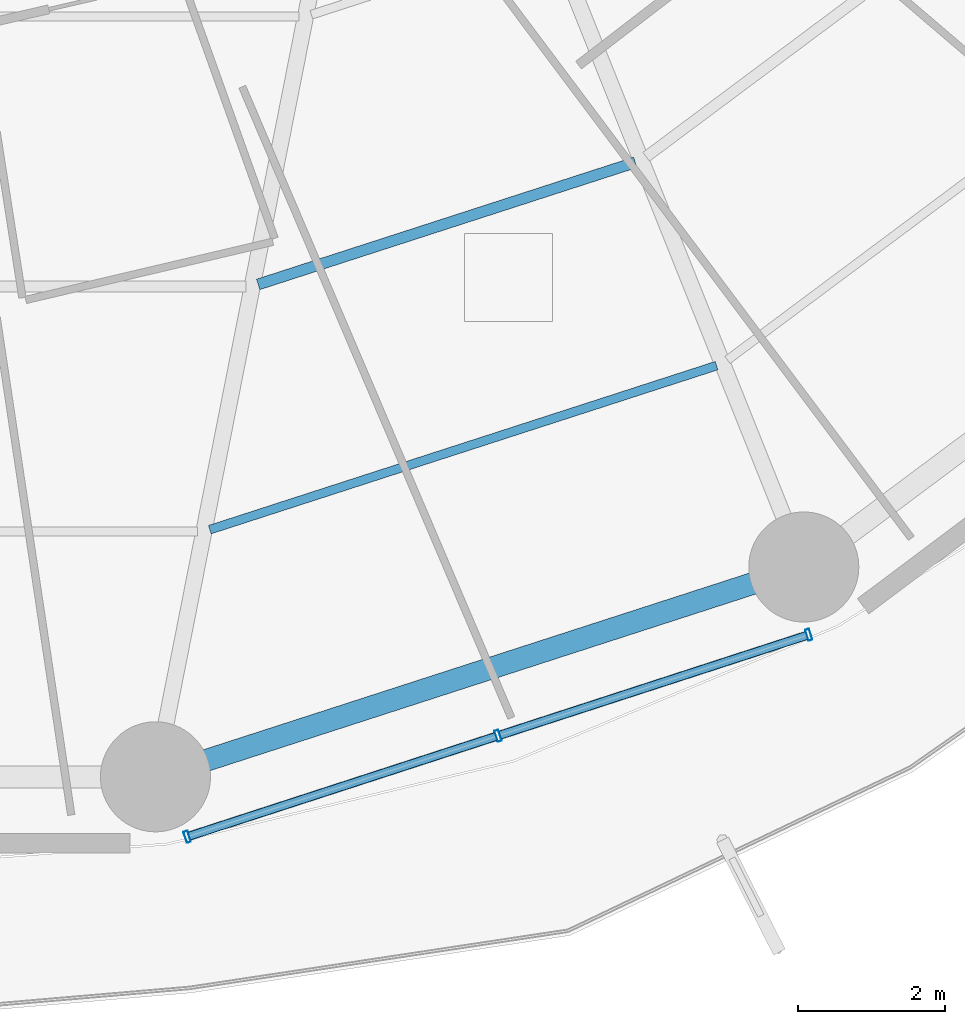
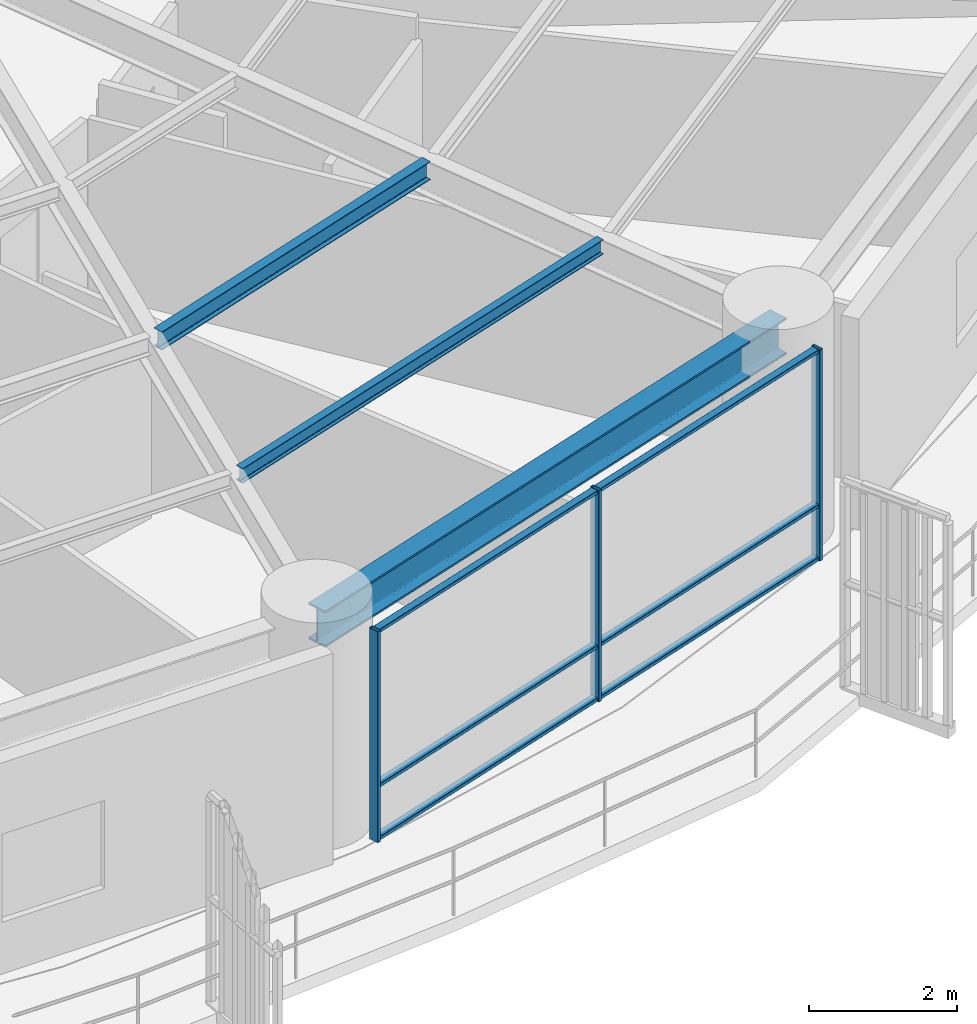
# One storey, part 8 of 32: 9 members, 3 beams, 1 element without a shape of its own.
"""IFC4 building model written with IfcOpenShell, lengths in metres."""

import ifcopenshell
import ifcopenshell.guid

model = None  # the IFC model being written
_history = None  # IfcOwnerHistory: only IFC2X3 demands one
_inside = {}  # id of a spatial element -> (the spatial element, [elements in it])
_under = {}  # id of a project, library or spatial element -> (it, [spatial elements below it])
_declared = {}  # id of a project -> (the project, [libraries it declares])
_typed = {}  # id of a type object -> (the type object, [elements of that type])
_made_of = {}  # id of a material, layer set ... -> (it, [elements and type objects made of it])


def new_model(schema):
    """Start an empty IFC model of exactly this schema.

    Asked for "IFC4X3", IfcOpenShell would pick the latest addendum, in which some entities
    have other attributes; the version numbers below select the first issue.
    IFC2X3 requires an IfcOwnerHistory on every rooted entity: one is made here for all.
    """
    global model, _history
    if schema == "IFC4X3":
        model = ifcopenshell.file(schema_version=(4, 3, 0, 0))
    else:
        model = ifcopenshell.file(schema=schema)
    _inside.clear()
    _under.clear()
    _declared.clear()
    _typed.clear()
    _made_of.clear()
    _history = None
    if model.schema == "IFC2X3":
        org = make("IfcOrganization", Name="unknown")
        user = make(
            "IfcPersonAndOrganization",
            ThePerson=make("IfcPerson", FamilyName="unknown"),
            TheOrganization=org,
        )
        app = make(
            "IfcApplication",
            ApplicationDeveloper=org,
            Version="unknown",
            ApplicationFullName="unknown",
            ApplicationIdentifier="unknown",
        )
        _history = make(
            "IfcOwnerHistory",
            OwningUser=user,
            OwningApplication=app,
            ChangeAction="ADDED",
            CreationDate=0,
        )
    return model


def make(cls, **values):
    """One entity of the class cls with the attributes given. An attribute that is None is left unset."""
    return model.create_entity(
        cls, **{name: value for name, value in values.items() if value is not None}
    )


def rooted(cls, **values):
    """An entity with a GlobalId (a new one), such as an element, a storey or a relation."""
    return make(cls, GlobalId=ifcopenshell.guid.new(), OwnerHistory=_history, **values)


def si_unit(unit_type, name, prefix=None):
    """IfcSIUnit, for example si_unit("LENGTHUNIT", "METRE", prefix="MILLI")."""
    return make("IfcSIUnit", UnitType=unit_type, Prefix=prefix, Name=name)


def assignment(units):
    """IfcUnitAssignment: the units of a project."""
    return None if units is None else make("IfcUnitAssignment", Units=units)


def point(xyz):
    """IfcCartesianPoint."""
    return None if xyz is None else make("IfcCartesianPoint", Coordinates=xyz)


def direction(xyz):
    """IfcDirection."""
    return None if xyz is None else make("IfcDirection", DirectionRatios=xyz)


def frame(location, z_axis=None, x_axis=None):
    """IfcAxis2Placement3D, a coordinate frame: its origin and axes. An axis left out is left unset."""
    return make(
        "IfcAxis2Placement3D",
        Location=point(location),
        Axis=direction(z_axis),
        RefDirection=direction(x_axis),
    )


def frame_2d(location, x_axis=None):
    """IfcAxis2Placement2D, a coordinate frame in the plane: its origin and x axis."""
    return make(
        "IfcAxis2Placement2D", Location=point(location), RefDirection=direction(x_axis)
    )


def origin():
    """The frame at (0, 0, 0) with its axes left unset."""
    return frame((0.0, 0.0, 0.0))


def origin_2d():
    """The frame at (0, 0) in the plane with its x axis left unset."""
    return frame_2d((0.0, 0.0))


def place(relative_to, where):
    """IfcLocalPlacement: puts the frame where relative to a parent placement (None: the world)."""
    return make(
        "IfcLocalPlacement", PlacementRelTo=relative_to, RelativePlacement=where
    )


def context(
    kind, dimensions, precision=None, world=None, true_north=None, identifier=None
):
    """IfcGeometricRepresentationContext, for example the 3D "Model" context."""
    return make(
        "IfcGeometricRepresentationContext",
        ContextIdentifier=identifier,
        ContextType=kind,
        CoordinateSpaceDimension=dimensions,
        Precision=precision,
        WorldCoordinateSystem=world,
        TrueNorth=true_north,
    )


def subcontext(parent, identifier, kind, view, scale=None):
    """IfcGeometricRepresentationSubContext, for example "Body" below "Model"."""
    return make(
        "IfcGeometricRepresentationSubContext",
        ContextIdentifier=identifier,
        ContextType=kind,
        ParentContext=parent,
        TargetScale=scale,
        TargetView=view,
    )


def project(units=None, contexts=None):
    """IfcProject with its units and contexts."""
    return rooted(
        "IfcProject",
        Name="project",
        RepresentationContexts=contexts,
        UnitsInContext=assignment(units),
    )


def spatial(cls, under=None, at=None, **own):
    """A site, building, storey or space (cls), placed at a placement, below another one or the project."""
    s = rooted(cls, ObjectPlacement=at, **own)
    if under is not None:
        _under.setdefault(under.id(), (under, []))[1].append(s)
    return s


def profile(cls, at=None, kind="AREA", **sizes):
    """A parametric profile (cls). Its sizes go by their IFC names, for example OverallWidth=200.0."""
    return make(cls, ProfileType=kind, Position=at, **sizes)


def hollow_rectangle(**sizes):
    """IfcRectangleHollowProfileDef."""
    return profile("IfcRectangleHollowProfileDef", **sizes)


def i_section(**sizes):
    """IfcIShapeProfileDef."""
    return profile("IfcIShapeProfileDef", **sizes)


def extrude(swept, where, along, depth):
    """IfcExtrudedAreaSolid: the profile swept, set in the frame where, extruded along a direction by depth."""
    return make(
        "IfcExtrudedAreaSolid",
        SweptArea=swept,
        Position=where,
        ExtrudedDirection=direction(along),
        Depth=depth,
    )


def shape(context_of_items, identifier, shape_type, items):
    """IfcShapeRepresentation: the items that make up one representation, for example the "Body"."""
    return make(
        "IfcShapeRepresentation",
        ContextOfItems=context_of_items,
        RepresentationIdentifier=identifier,
        RepresentationType=shape_type,
        Items=items,
    )


def material(Name=None, Category=None):
    """IfcMaterial."""
    return make("IfcMaterial", Name=Name, Category=Category)


def layer(
    of_material, thickness, ventilated=None, Name=None, Category=None, Priority=None
):
    """IfcMaterialLayer: one layer of a wall or slab, of a material (None: an air gap)."""
    return make(
        "IfcMaterialLayer",
        Material=of_material,
        LayerThickness=thickness,
        IsVentilated=ventilated,
        Name=Name,
        Category=Category,
        Priority=Priority,
    )


def layer_set(layers, Name=None):
    """IfcMaterialLayerSet."""
    return make("IfcMaterialLayerSet", MaterialLayers=layers, LayerSetName=Name)


def material_profile(
    of_material, cross_section, Name=None, Category=None, Priority=None
):
    """IfcMaterialProfile: a cross section and its material."""
    return make(
        "IfcMaterialProfile",
        Name=Name,
        Material=of_material,
        Profile=cross_section,
        Priority=Priority,
        Category=Category,
    )


def profile_set(profiles, Name=None, composite=None):
    """IfcMaterialProfileSet."""
    return make(
        "IfcMaterialProfileSet",
        Name=Name,
        MaterialProfiles=profiles,
        CompositeProfile=composite,
    )


def made_of(thing, what):
    """Note that an element or type object is made of a material, layer set ...; save() writes the relation."""
    if what is not None:
        _made_of.setdefault(what.id(), (what, []))[1].append(thing)
    return thing


def type_object(cls, material=None, **own):
    """A type object (cls), such as IfcWallType, which elements share."""
    return made_of(rooted(cls, **own), material)


def element(
    cls,
    number,
    at=None,
    inside=None,
    cuts=None,
    type_object=None,
    material=None,
    context=None,
    identifier="Body",
    shape_type=None,
    held_by="IfcProductDefinitionShape",
    body=None,
    shapes=None,
    **own,
):
    """One element of the class cls, such as IfcWall. Its Tag is "e" and its number.

    at: its placement. inside: the storey or other place that contains it. cuts: it is an
    opening in that element (IfcRelVoidsElement). A single representation is given by context,
    identifier, shape_type and body (its items); several are given by shapes. held_by: the class
    of the entity that holds the representations. save() writes the other relations.
    """
    e = rooted(cls, Tag="e%d" % number, ObjectPlacement=at, **own)
    if body is not None:
        shapes = [shape(context, identifier, shape_type, body)]
    if shapes is not None:
        e.Representation = make(held_by, Representations=shapes)
    if inside is not None:
        _inside.setdefault(inside.id(), (inside, []))[1].append(e)
    if cuts is not None:
        rooted(
            "IfcRelVoidsElement", RelatingBuildingElement=cuts, RelatedOpeningElement=e
        )
    if type_object is not None:
        _typed.setdefault(type_object.id(), (type_object, []))[1].append(e)
    return made_of(e, material)


def aggregate(whole, parts):
    """IfcRelAggregates: a whole, such as a stair, and the parts it consists of."""
    return rooted("IfcRelAggregates", RelatingObject=whole, RelatedObjects=parts)


def save(model, path):
    """Write the relations noted so far, then the file.

    IfcRelAggregates (storeys below a building ...), IfcRelContainedInSpatialStructure (elements
    in a storey), IfcRelDefinesByType, IfcRelAssociatesMaterial and IfcRelDeclares: one each for
    every whole, place, type object, material and project.
    """
    for whole, parts in _under.values():
        aggregate(whole, parts)
    for where, things in _inside.values():
        rooted(
            "IfcRelContainedInSpatialStructure",
            RelatedElements=things,
            RelatingStructure=where,
        )
    for kind, things in _typed.values():
        rooted("IfcRelDefinesByType", RelatedObjects=things, RelatingType=kind)
    for what, things in _made_of.values():
        rooted("IfcRelAssociatesMaterial", RelatedObjects=things, RelatingMaterial=what)
    for by, libraries in _declared.values():
        rooted("IfcRelDeclares", RelatingContext=by, RelatedDefinitions=libraries)
    model.write(path)


model = new_model("IFC4")

# Units and contexts
model_context = context("Model", 3, precision=1e-05, world=origin(), true_north=direction((0.0, 1.0)))
body_context = subcontext(model_context, "Body", "Model", "MODEL_VIEW")
ifc_project = project(units=[si_unit("LENGTHUNIT", "METRE"), si_unit("AREAUNIT", "SQUARE_METRE"), si_unit("VOLUMEUNIT", "CUBIC_METRE"), si_unit("PLANEANGLEUNIT", "RADIAN"), si_unit("MASSUNIT", "GRAM", prefix="KILO")], contexts=[model_context])

# Site, building, storey
site_placement = place(None, origin())
site = spatial("IfcSite", under=ifc_project, at=site_placement, CompositionType="ELEMENT")
building_placement = place(site_placement, origin())
building = spatial("IfcBuilding", under=site, at=building_placement, Name="Kelanora Arch Commons", CompositionType="ELEMENT")
storey_placement = place(building_placement, frame((0.0, 0.0, 60.0)))
storey = spatial("IfcBuildingStorey", under=building, at=storey_placement, Name="L15", CompositionType="ELEMENT", Elevation=60.0)

# Beams
ifc_material_1 = material(Name="Steel S355", Category="steel")
ifc_material_profile_1 = material_profile(ifc_material_1, i_section(OverallWidth=0.14990234375, OverallDepth=0.300048828125, WebThickness=0.007080078125, FlangeThickness=0.0107421875, FilletRadius=0.014892578125, at=origin_2d()), Name="IPE300")
ifc_profile_set_1 = profile_set([ifc_material_profile_1], Name="Steel S355")
beam_type_1 = type_object("IfcBeamType", Name="BM-JST-01", PredefinedType="JOIST", material=ifc_profile_set_1)
beam_1_placement = place(storey_placement, frame((80.102294921875, 40.997802734375, 3.340087890625), z_axis=(0.951412209627, 0.307920131482, 0.0), x_axis=(-0.307920131482, 0.951412209627, 0.0)))
element("IfcBeam", 1, at=beam_1_placement, inside=storey, type_object=beam_type_1, Name="Secondary Chord Joist BJB-28 L15", PredefinedType="JOIST", context=body_context, shape_type="SweptSolid", body=[
    extrude(i_section(OverallWidth=0.14990234375, OverallDepth=0.300048828125, WebThickness=0.007080078125, FlangeThickness=0.0107421875, FilletRadius=0.014892578125, at=origin_2d()), origin(), (0.0, 0.0, 1.0), 5.4033203125),
])
ifc_material_profile_2 = material_profile(ifc_material_1, i_section(OverallWidth=0.1201171875, OverallDepth=0.239990234375, WebThickness=0.006103515625, FlangeThickness=0.009765625, FilletRadius=0.014892578125, at=origin_2d()), Name="IPE240")
ifc_profile_set_2 = profile_set([ifc_material_profile_2], Name="Steel S355")
beam_type_2 = type_object("IfcBeamType", Name="BM-JST-02", PredefinedType="JOIST", material=ifc_profile_set_2)
beam_2_placement = place(storey_placement, frame((79.44287109375, 37.65478515625, 3.3701171875), z_axis=(0.951410915705, 0.307924129418, 0.0), x_axis=(-0.307924129418, 0.951410915705, 0.0)))
element("IfcBeam", 2, at=beam_2_placement, inside=storey, type_object=beam_type_2, Name="Secondary Chord Joist BJC-28 L15", PredefinedType="JOIST", context=body_context, shape_type="SweptSolid", body=[
    extrude(i_section(OverallWidth=0.1201171875, OverallDepth=0.239990234375, WebThickness=0.006103515625, FlangeThickness=0.009765625, FilletRadius=0.014892578125, at=origin_2d()), origin(), (0.0, 0.0, 1.0), 7.260986328125),
])
ifc_material_profile_3 = material_profile(ifc_material_1, i_section(OverallWidth=0.300048828125, OverallDepth=0.60009765625, WebThickness=0.015380859375, FlangeThickness=0.030029296875, FilletRadius=0.027099609375, at=origin_2d()), Name="HEB600")
ifc_profile_set_3 = profile_set([ifc_material_profile_3], Name="Steel S355")
beam_type_3 = type_object("IfcBeamType", Name="BM-SPN-Z1", PredefinedType="SPANDREL", material=ifc_profile_set_3)
beam_3_placement = place(storey_placement, frame((78.702392578125, 34.285888671875, 3.18994140625), z_axis=(0.951417120402, 0.307904957748, 0.0), x_axis=(-0.307904957748, 0.951417120402, 0.0)))
element("IfcBeam", 3, at=beam_3_placement, inside=storey, type_object=beam_type_3, Name="Perimeter Spandrel Beam BS-28 L15", PredefinedType="SPANDREL", context=body_context, shape_type="SweptSolid", body=[
    extrude(i_section(OverallWidth=0.300048828125, OverallDepth=0.60009765625, WebThickness=0.015380859375, FlangeThickness=0.030029296875, FilletRadius=0.027099609375, at=origin_2d()), origin(), (0.0, 0.0, 1.0), 9.288818359375),
])

# Curtain wall, members
ifc_material_2 = material(Name="Terracotta ceramic-fritted low-E glass and aluminium", Category="masonry")
ifc_layer = layer(ifc_material_2, 0.159912109375)
ifc_layer_set = layer_set([ifc_layer], Name="Terracotta ceramic-fritted low-E glass and aluminium")
curtain_wall_type = type_object("IfcCurtainWallType", Name="CW-SYS-01", PredefinedType="NOTDEFINED", material=ifc_layer_set)
curtain_wall_placement = place(storey_placement, origin())
curtain_wall = element("IfcCurtainWall", 4, at=curtain_wall_placement, inside=storey, type_object=curtain_wall_type, Name="Unitised Curtain Wall L15-B14", PredefinedType="NOTDEFINED")
ifc_material_3 = material(Name="Powder-coated aluminium terracotta", Category="masonry")
ifc_material_profile_4 = material_profile(ifc_material_3, hollow_rectangle(XDim=0.159912109375, YDim=0.06005859375, WallThickness=0.0048828125, InnerFilletRadius=0.0048828125, OuterFilletRadius=0.010009765625, at=origin_2d()), Name="CWM160x60")
ifc_profile_set_4 = profile_set([ifc_material_profile_4], Name="Powder-coated aluminium terracotta")
member_type_1 = type_object("IfcMemberType", Name="CWM-STD", PredefinedType="MULLION", material=ifc_profile_set_4)
member_1_placement = place(storey_placement, frame((79.134521484375, 33.46826171875, 0.0), z_axis=(0.0, 0.0, 1.0), x_axis=(-0.30905758454, 0.951043326793, 0.0)))
member_1 = element("IfcMember", 5, at=member_1_placement, type_object=member_type_1, Name="CW-01 mullion 1", PredefinedType="MULLION", context=body_context, shape_type="SweptSolid", body=[
    extrude(hollow_rectangle(XDim=0.159912109375, YDim=0.06005859375, WallThickness=0.0048828125, InnerFilletRadius=0.0048828125, OuterFilletRadius=0.010009765625, at=origin_2d()), origin(), (0.0, 0.0, 1.0), 3.47509765625),
])
member_2_placement = place(storey_placement, frame((83.37109375, 34.84521484375, 0.0), z_axis=(0.0, 0.0, 1.0), x_axis=(-0.30905758454, 0.951043326793, 0.0)))
member_2 = element("IfcMember", 6, at=member_2_placement, type_object=member_type_1, Name="CW-01 mullion 2", PredefinedType="MULLION", context=body_context, shape_type="SweptSolid", body=[
    extrude(hollow_rectangle(XDim=0.159912109375, YDim=0.06005859375, WallThickness=0.0048828125, InnerFilletRadius=0.0048828125, OuterFilletRadius=0.010009765625, at=origin_2d()), origin(), (0.0, 0.0, 1.0), 3.47509765625),
])
member_3_placement = place(storey_placement, frame((87.607666015625, 36.221923828125, 0.0), z_axis=(0.0, 0.0, 1.0), x_axis=(-0.30905758454, 0.951043326793, 0.0)))
member_3 = element("IfcMember", 7, at=member_3_placement, type_object=member_type_1, Name="CW-01 mullion 3", PredefinedType="MULLION", context=body_context, shape_type="SweptSolid", body=[
    extrude(hollow_rectangle(XDim=0.159912109375, YDim=0.06005859375, WallThickness=0.0048828125, InnerFilletRadius=0.0048828125, OuterFilletRadius=0.010009765625, at=origin_2d()), origin(), (0.0, 0.0, 1.0), 3.47509765625),
])
ifc_material_profile_5 = material_profile(ifc_material_3, hollow_rectangle(XDim=0.1201171875, YDim=0.06005859375, WallThickness=0.0048828125, InnerFilletRadius=0.0048828125, OuterFilletRadius=0.010009765625, at=origin_2d()), Name="CWT120x60")
ifc_profile_set_5 = profile_set([ifc_material_profile_5], Name="Powder-coated aluminium terracotta")
member_type_2 = type_object("IfcMemberType", Name="CWT-STD", PredefinedType="USERDEFINED", material=ifc_profile_set_5)
member_4_placement = place(storey_placement, frame((79.1630859375, 33.4775390625, 0.030029296875), z_axis=(0.951028761285, 0.309102402464, 0.0), x_axis=(-0.309102402464, 0.951028761285, 0.0)))
member_4 = element("IfcMember", 8, at=member_4_placement, type_object=member_type_2, Name="CW-01 transom 1.1", ObjectType="TRANSOM", PredefinedType="USERDEFINED", context=body_context, shape_type="SweptSolid", body=[
    extrude(hollow_rectangle(XDim=0.1201171875, YDim=0.06005859375, WallThickness=0.0048828125, InnerFilletRadius=0.0048828125, OuterFilletRadius=0.010009765625, at=origin_2d()), origin(), (0.0, 0.0, 1.0), 4.394775390625),
])
member_5_placement = place(storey_placement, frame((79.1630859375, 33.4775390625, 0.89990234375), z_axis=(0.951028761285, 0.309102402464, 0.0), x_axis=(-0.309102402464, 0.951028761285, 0.0)))
member_5 = element("IfcMember", 9, at=member_5_placement, type_object=member_type_2, Name="CW-01 transom 1.2", ObjectType="TRANSOM", PredefinedType="USERDEFINED", context=body_context, shape_type="SweptSolid", body=[
    extrude(hollow_rectangle(XDim=0.1201171875, YDim=0.06005859375, WallThickness=0.0048828125, InnerFilletRadius=0.0048828125, OuterFilletRadius=0.010009765625, at=origin_2d()), origin(), (0.0, 0.0, 1.0), 4.394775390625),
])
member_6_placement = place(storey_placement, frame((79.1630859375, 33.4775390625, 3.445068359375), z_axis=(0.951028761285, 0.309102402464, 0.0), x_axis=(-0.309102402464, 0.951028761285, 0.0)))
member_6 = element("IfcMember", 10, at=member_6_placement, type_object=member_type_2, Name="CW-01 transom 1.3", ObjectType="TRANSOM", PredefinedType="USERDEFINED", context=body_context, shape_type="SweptSolid", body=[
    extrude(hollow_rectangle(XDim=0.1201171875, YDim=0.06005859375, WallThickness=0.0048828125, InnerFilletRadius=0.0048828125, OuterFilletRadius=0.010009765625, at=origin_2d()), origin(), (0.0, 0.0, 1.0), 4.394775390625),
])
member_7_placement = place(storey_placement, frame((83.399658203125, 34.8544921875, 0.030029296875), z_axis=(0.951045091182, 0.309052155047, 0.0), x_axis=(-0.309052155047, 0.951045091182, 0.0)))
member_7 = element("IfcMember", 11, at=member_7_placement, type_object=member_type_2, Name="CW-01 transom 2.1", ObjectType="TRANSOM", PredefinedType="USERDEFINED", context=body_context, shape_type="SweptSolid", body=[
    extrude(hollow_rectangle(XDim=0.1201171875, YDim=0.06005859375, WallThickness=0.0048828125, InnerFilletRadius=0.0048828125, OuterFilletRadius=0.010009765625, at=origin_2d()), origin(), (0.0, 0.0, 1.0), 4.39453125),
])
member_8_placement = place(storey_placement, frame((83.399658203125, 34.8544921875, 0.89990234375), z_axis=(0.951045091182, 0.309052155047, 0.0), x_axis=(-0.309052155047, 0.951045091182, 0.0)))
member_8 = element("IfcMember", 12, at=member_8_placement, type_object=member_type_2, Name="CW-01 transom 2.2", ObjectType="TRANSOM", PredefinedType="USERDEFINED", context=body_context, shape_type="SweptSolid", body=[
    extrude(hollow_rectangle(XDim=0.1201171875, YDim=0.06005859375, WallThickness=0.0048828125, InnerFilletRadius=0.0048828125, OuterFilletRadius=0.010009765625, at=origin_2d()), origin(), (0.0, 0.0, 1.0), 4.39453125),
])
member_9_placement = place(storey_placement, frame((83.399658203125, 34.8544921875, 3.445068359375), z_axis=(0.951045091182, 0.309052155047, 0.0), x_axis=(-0.309052155047, 0.951045091182, 0.0)))
member_9 = element("IfcMember", 13, at=member_9_placement, type_object=member_type_2, Name="CW-01 transom 2.3", ObjectType="TRANSOM", PredefinedType="USERDEFINED", context=body_context, shape_type="SweptSolid", body=[
    extrude(hollow_rectangle(XDim=0.1201171875, YDim=0.06005859375, WallThickness=0.0048828125, InnerFilletRadius=0.0048828125, OuterFilletRadius=0.010009765625, at=origin_2d()), origin(), (0.0, 0.0, 1.0), 4.39453125),
])
aggregate(curtain_wall, [member_1, member_2, member_3, member_4, member_5, member_6, member_7, member_8, member_9])

save(model, "model.ifc")
